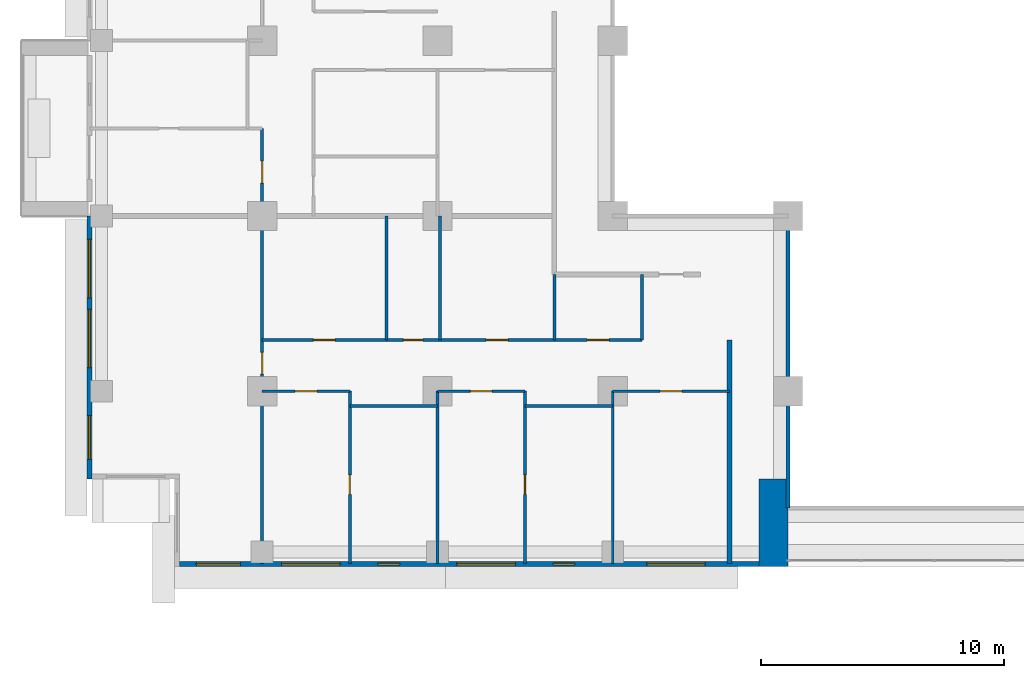
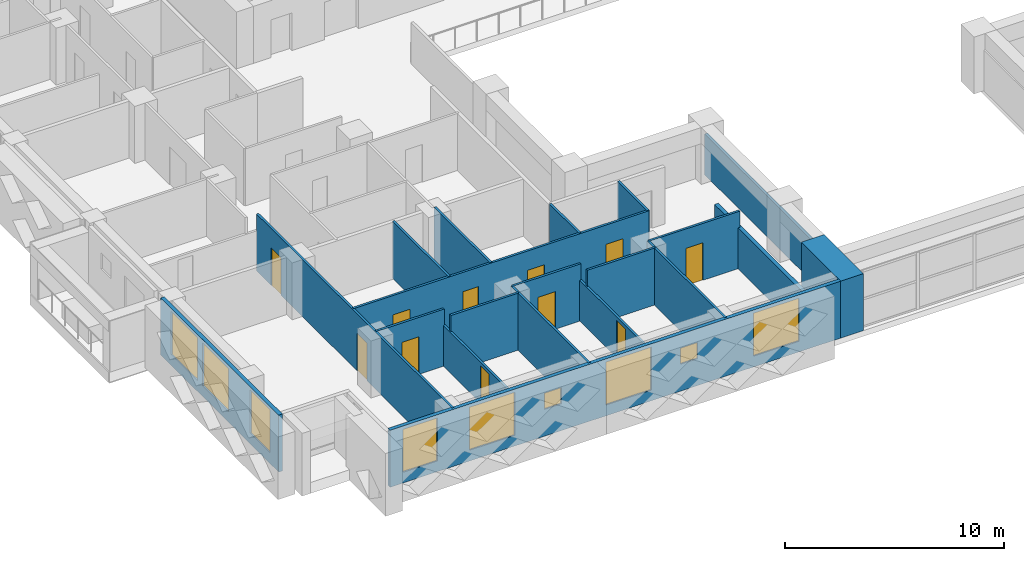
# One storey, part 6 of 17: 20 walls, 11 doors, 9 windows, 20 openings.
"""IFC4 building model written with IfcOpenShell, lengths in metres."""

from ifc_helpers import new_model, si_unit, direction, frame, frame_2d, origin, place, context, subcontext, project, spatial, rectangle, extrude, material, layer, layer_set, type_object, element, fill, save


model = new_model("IFC4")

# Units and contexts
model_context = context("Model", 3, precision=1e-05, world=origin(), true_north=direction((0.0, 1.0)))
body_context = subcontext(model_context, "Body", "Model", "MODEL_VIEW")
ifc_project = project(units=[si_unit("LENGTHUNIT", "METRE"), si_unit("AREAUNIT", "SQUARE_METRE"), si_unit("VOLUMEUNIT", "CUBIC_METRE"), si_unit("PLANEANGLEUNIT", "RADIAN"), si_unit("MASSUNIT", "GRAM", prefix="KILO")], contexts=[model_context])

# Site, building, storey
site_placement = place(None, origin())
site = spatial("IfcSite", under=ifc_project, at=site_placement, CompositionType="ELEMENT")
building_placement = place(site_placement, origin())
building = spatial("IfcBuilding", under=site, at=building_placement, Name="Saffron Iwan Residences", CompositionType="ELEMENT")
storey_placement = place(building_placement, frame((0.0, 0.0, 100.5)))
storey = spatial("IfcBuildingStorey", under=building, at=storey_placement, Name="L26", CompositionType="ELEMENT", Elevation=100.5)

# Wall
ifc_material_1 = material(Name="Fire-rated glazing", Category="glass")
ifc_layer_1 = layer(ifc_material_1, 0.14990234375)
ifc_layer_set_1 = layer_set([ifc_layer_1], Name="Fire-rated glazing")
wall_type_1 = type_object("IfcWallType", Name="Atrium glazed screen 150", PredefinedType="SOLIDWALL", material=ifc_layer_set_1)
wall_1_placement = place(storey_placement, frame((43.199951171875, 36.0, 0.0), z_axis=(0.0, 0.0, 1.0), x_axis=(0.0, 1.0, 0.0)))
element("IfcWall", 1, at=wall_1_placement, inside=storey, type_object=wall_type_1, Name="W-L26-SCREEN-v43.2-36", PredefinedType="SOLIDWALL", context=body_context, shape_type="SweptSolid", body=[
    extrude(rectangle(XDim=12.0, YDim=0.14990234375, at=frame_2d((6.0, 0.0))), origin(), (0.0, 0.0, 1.0), 2.280029296875),
])

# Wall, openings, windows
ifc_material_2 = material(Name="Concrete C40/50", Category="concrete")
ifc_layer_2 = layer(ifc_material_2, 0.199951171875)
ifc_layer_set_2 = layer_set([ifc_layer_2], Name="Concrete C40/50")
wall_type_2 = type_object("IfcWallType", Name="EXTERNAL WALL 200", PredefinedType="SOLIDWALL", material=ifc_layer_set_2)
wall_2_placement = place(storey_placement, frame((14.5, 48.0, 0.0), z_axis=(0.0, 0.0, 1.0), x_axis=(0.0, -1.0, 0.0)))
wall_2 = element("IfcWall", 2, at=wall_2_placement, inside=storey, type_object=wall_type_2, Name="External wall L26 F8.4", PredefinedType="SOLIDWALL", context=body_context, shape_type="SweptSolid", body=[
    extrude(rectangle(XDim=10.800048828125, YDim=0.199951171875, at=frame_2d((5.39990234375, 0.0))), origin(), (0.0, 0.0, 1.0), 3.179931640625),
])
opening_1_placement = place(wall_2_placement, frame((0.966796875, 0.0, 0.60009765625)))
opening_1 = element("IfcOpeningElement", 3, at=opening_1_placement, cuts=wall_2, Name="Opening W1", PredefinedType="OPENING", context=body_context, shape_type="SweptSolid", body=[
    extrude(rectangle(XDim=2.39990234375, YDim=2.39990234375, at=frame_2d((1.199951171875, 1.199951171875))), frame((0.0, 0.10986328125, 0.0), z_axis=(0.0, -1.0, 0.0), x_axis=(1.0, 0.0, 0.0)), (0.0, 0.0, 1.0), 0.219970703125),
])
opening_2_placement = place(wall_2_placement, frame((3.833251953125, 0.0, 0.60009765625)))
opening_2 = element("IfcOpeningElement", 4, at=opening_2_placement, cuts=wall_2, Name="Opening W1", PredefinedType="OPENING", context=body_context, shape_type="SweptSolid", body=[
    extrude(rectangle(XDim=2.39990234375, YDim=2.39990234375, at=frame_2d((1.199951171875, 1.199951171875))), frame((0.0, 0.10986328125, 0.0), z_axis=(0.0, -1.0, 0.0), x_axis=(1.0, 0.0, 0.0)), (0.0, 0.0, 1.0), 0.219970703125),
])
opening_3_placement = place(wall_2_placement, frame((8.199951171875, 0.0, 0.60009765625)))
opening_3 = element("IfcOpeningElement", 5, at=opening_3_placement, cuts=wall_2, Name="Opening W8", PredefinedType="OPENING", context=body_context, shape_type="SweptSolid", body=[
    extrude(rectangle(XDim=1.800048828125, YDim=2.39990234375, at=frame_2d((0.89990234375, 1.199951171875))), frame((0.0, 0.10986328125, 0.0), z_axis=(0.0, -1.0, 0.0), x_axis=(1.0, 0.0, 0.0)), (0.0, 0.0, 1.0), 0.219970703125),
])
ifc_material_3 = material(Name="Clear glass, laminated double glazed", Category="glass")
window_type_1 = type_object("IfcWindowType", Name="WINDOW 1800 x 2400", PartitioningType="DOUBLE_PANEL_VERTICAL", PredefinedType="WINDOW", material=ifc_material_3)
window_1_placement = place(opening_3_placement, origin())
window_1 = element("IfcWindow", 6, at=window_1_placement, inside=storey, type_object=window_type_1, Name="Window L26 F8.2", OverallHeight=2.39990234375, OverallWidth=1.800048828125, PartitioningType="DOUBLE_PANEL_VERTICAL", PredefinedType="WINDOW", context=body_context, shape_type="SweptSolid", body=[
    extrude(rectangle(XDim=1.800048828125, YDim=2.39990234375, at=frame_2d((0.89990234375, 1.199951171875))), frame((0.0, 0.030029296875, 0.0), z_axis=(0.0, -1.0, 0.0), x_axis=(1.0, 0.0, 0.0)), (0.0, 0.0, 1.0), 0.06005859375),
])
fill(opening_3, window_1)
window_type_2 = type_object("IfcWindowType", Name="WINDOW 2400 x 2400", PartitioningType="DOUBLE_PANEL_VERTICAL", PredefinedType="WINDOW", material=ifc_material_3)
window_2_placement = place(opening_1_placement, origin())
window_2 = element("IfcWindow", 7, at=window_2_placement, inside=storey, type_object=window_type_2, Name="Window L26 F8.0", OverallHeight=2.39990234375, OverallWidth=2.39990234375, PartitioningType="DOUBLE_PANEL_VERTICAL", PredefinedType="WINDOW", context=body_context, shape_type="SweptSolid", body=[
    extrude(rectangle(XDim=2.39990234375, YDim=2.39990234375, at=frame_2d((1.199951171875, 1.199951171875))), frame((0.0, 0.030029296875, 0.0), z_axis=(0.0, -1.0, 0.0), x_axis=(1.0, 0.0, 0.0)), (0.0, 0.0, 1.0), 0.06005859375),
])
fill(opening_1, window_2)
window_3_placement = place(opening_2_placement, origin())
window_3 = element("IfcWindow", 8, at=window_3_placement, inside=storey, type_object=window_type_2, Name="Window L26 F8.1", OverallHeight=2.39990234375, OverallWidth=2.39990234375, PartitioningType="DOUBLE_PANEL_VERTICAL", PredefinedType="WINDOW", context=body_context, shape_type="SweptSolid", body=[
    extrude(rectangle(XDim=2.39990234375, YDim=2.39990234375, at=frame_2d((1.199951171875, 1.199951171875))), frame((0.0, 0.030029296875, 0.0), z_axis=(0.0, -1.0, 0.0), x_axis=(1.0, 0.0, 0.0)), (0.0, 0.0, 1.0), 0.06005859375),
])
fill(opening_2, window_3)

wall_3_placement = place(storey_placement, frame((18.199951171875, 33.699951171875, 0.0), z_axis=(0.0, 0.0, 1.0), x_axis=(1.0, 0.0, 0.0)))
wall_3 = element("IfcWall", 9, at=wall_3_placement, inside=storey, type_object=wall_type_2, Name="External wall L26 F11.0", PredefinedType="SOLIDWALL", context=body_context, shape_type="SweptSolid", body=[
    extrude(rectangle(XDim=23.800048828125, YDim=0.199951171875, at=frame_2d((11.89990234375, 0.0))), origin(), (0.0, 0.0, 1.0), 3.179931640625),
])
opening_4_placement = place(wall_3_placement, frame((0.699951171875, 0.0, 0.60009765625)))
opening_4 = element("IfcOpeningElement", 10, at=opening_4_placement, cuts=wall_3, Name="Opening W8", PredefinedType="OPENING", context=body_context, shape_type="SweptSolid", body=[
    extrude(rectangle(XDim=1.800048828125, YDim=2.39990234375, at=frame_2d((0.89990234375, 1.199951171875))), frame((0.0, 0.10986328125, 0.0), z_axis=(0.0, -1.0, 0.0), x_axis=(1.0, 0.0, 0.0)), (0.0, 0.0, 1.0), 0.219970703125),
])
opening_5_placement = place(wall_3_placement, frame((4.199951171875, 0.0, 0.60009765625)))
opening_5 = element("IfcOpeningElement", 11, at=opening_5_placement, cuts=wall_3, Name="Opening W1", PredefinedType="OPENING", context=body_context, shape_type="SweptSolid", body=[
    extrude(rectangle(XDim=2.39990234375, YDim=2.39990234375, at=frame_2d((1.199951171875, 1.199951171875))), frame((0.0, 0.10986328125, 0.0), z_axis=(0.0, -1.0, 0.0), x_axis=(1.0, 0.0, 0.0)), (0.0, 0.0, 1.0), 0.219970703125),
])
opening_6_placement = place(wall_3_placement, frame((8.14990234375, 0.0, 1.5)))
opening_6 = element("IfcOpeningElement", 12, at=opening_6_placement, cuts=wall_3, Name="Opening W6", PredefinedType="OPENING", context=body_context, shape_type="SweptSolid", body=[
    extrude(rectangle(XDim=0.89990234375, YDim=0.89990234375, at=frame_2d((0.449951171875, 0.449951171875))), frame((0.0, 0.10986328125, 0.0), z_axis=(0.0, -1.0, 0.0), x_axis=(1.0, 0.0, 0.0)), (0.0, 0.0, 1.0), 0.219970703125),
])
opening_7_placement = place(wall_3_placement, frame((11.39990234375, 0.0, 0.60009765625)))
opening_7 = element("IfcOpeningElement", 13, at=opening_7_placement, cuts=wall_3, Name="Opening W1", PredefinedType="OPENING", context=body_context, shape_type="SweptSolid", body=[
    extrude(rectangle(XDim=2.39990234375, YDim=2.39990234375, at=frame_2d((1.199951171875, 1.199951171875))), frame((0.0, 0.10986328125, 0.0), z_axis=(0.0, -1.0, 0.0), x_axis=(1.0, 0.0, 0.0)), (0.0, 0.0, 1.0), 0.219970703125),
])
opening_8_placement = place(wall_3_placement, frame((15.35009765625, 0.0, 1.5)))
opening_8 = element("IfcOpeningElement", 14, at=opening_8_placement, cuts=wall_3, Name="Opening W6", PredefinedType="OPENING", context=body_context, shape_type="SweptSolid", body=[
    extrude(rectangle(XDim=0.89990234375, YDim=0.89990234375, at=frame_2d((0.449951171875, 0.449951171875))), frame((0.0, 0.10986328125, 0.0), z_axis=(0.0, -1.0, 0.0), x_axis=(1.0, 0.0, 0.0)), (0.0, 0.0, 1.0), 0.219970703125),
])
opening_9_placement = place(wall_3_placement, frame((19.199951171875, 0.0, 0.60009765625)))
opening_9 = element("IfcOpeningElement", 15, at=opening_9_placement, cuts=wall_3, Name="Opening W1", PredefinedType="OPENING", context=body_context, shape_type="SweptSolid", body=[
    extrude(rectangle(XDim=2.39990234375, YDim=2.39990234375, at=frame_2d((1.199951171875, 1.199951171875))), frame((0.0, 0.10986328125, 0.0), z_axis=(0.0, -1.0, 0.0), x_axis=(1.0, 0.0, 0.0)), (0.0, 0.0, 1.0), 0.219970703125),
])
window_4_placement = place(opening_4_placement, origin())
window_4 = element("IfcWindow", 16, at=window_4_placement, inside=storey, type_object=window_type_1, Name="Window L26 F11.0", OverallHeight=2.39990234375, OverallWidth=1.800048828125, PartitioningType="DOUBLE_PANEL_VERTICAL", PredefinedType="WINDOW", context=body_context, shape_type="SweptSolid", body=[
    extrude(rectangle(XDim=1.800048828125, YDim=2.39990234375, at=frame_2d((0.89990234375, 1.199951171875))), frame((0.0, 0.030029296875, 0.0), z_axis=(0.0, -1.0, 0.0), x_axis=(1.0, 0.0, 0.0)), (0.0, 0.0, 1.0), 0.06005859375),
])
fill(opening_4, window_4)
window_5_placement = place(opening_5_placement, origin())
window_5 = element("IfcWindow", 17, at=window_5_placement, inside=storey, type_object=window_type_2, Name="Window L26 F11.1", OverallHeight=2.39990234375, OverallWidth=2.39990234375, PartitioningType="DOUBLE_PANEL_VERTICAL", PredefinedType="WINDOW", context=body_context, shape_type="SweptSolid", body=[
    extrude(rectangle(XDim=2.39990234375, YDim=2.39990234375, at=frame_2d((1.199951171875, 1.199951171875))), frame((0.0, 0.030029296875, 0.0), z_axis=(0.0, -1.0, 0.0), x_axis=(1.0, 0.0, 0.0)), (0.0, 0.0, 1.0), 0.06005859375),
])
fill(opening_5, window_5)
window_6_placement = place(opening_7_placement, origin())
window_6 = element("IfcWindow", 18, at=window_6_placement, inside=storey, type_object=window_type_2, Name="Window L26 F11.3", OverallHeight=2.39990234375, OverallWidth=2.39990234375, PartitioningType="DOUBLE_PANEL_VERTICAL", PredefinedType="WINDOW", context=body_context, shape_type="SweptSolid", body=[
    extrude(rectangle(XDim=2.39990234375, YDim=2.39990234375, at=frame_2d((1.199951171875, 1.199951171875))), frame((0.0, 0.030029296875, 0.0), z_axis=(0.0, -1.0, 0.0), x_axis=(1.0, 0.0, 0.0)), (0.0, 0.0, 1.0), 0.06005859375),
])
fill(opening_7, window_6)
window_7_placement = place(opening_9_placement, origin())
window_7 = element("IfcWindow", 19, at=window_7_placement, inside=storey, type_object=window_type_2, Name="Window L26 F11.5", OverallHeight=2.39990234375, OverallWidth=2.39990234375, PartitioningType="DOUBLE_PANEL_VERTICAL", PredefinedType="WINDOW", context=body_context, shape_type="SweptSolid", body=[
    extrude(rectangle(XDim=2.39990234375, YDim=2.39990234375, at=frame_2d((1.199951171875, 1.199951171875))), frame((0.0, 0.030029296875, 0.0), z_axis=(0.0, -1.0, 0.0), x_axis=(1.0, 0.0, 0.0)), (0.0, 0.0, 1.0), 0.06005859375),
])
fill(opening_9, window_7)
window_type_3 = type_object("IfcWindowType", Name="WINDOW 900 x 900 BATH", PartitioningType="SINGLE_PANEL", PredefinedType="WINDOW", material=ifc_material_3)
window_8_placement = place(opening_6_placement, origin())
window_8 = element("IfcWindow", 20, at=window_8_placement, inside=storey, type_object=window_type_3, Name="Window L26 F11.2", OverallHeight=0.89990234375, OverallWidth=0.89990234375, PartitioningType="SINGLE_PANEL", PredefinedType="WINDOW", context=body_context, shape_type="SweptSolid", body=[
    extrude(rectangle(XDim=0.89990234375, YDim=0.89990234375, at=frame_2d((0.449951171875, 0.449951171875))), frame((0.0, 0.030029296875, 0.0), z_axis=(0.0, -1.0, 0.0), x_axis=(1.0, 0.0, 0.0)), (0.0, 0.0, 1.0), 0.06005859375),
])
fill(opening_6, window_8)
window_9_placement = place(opening_8_placement, origin())
window_9 = element("IfcWindow", 21, at=window_9_placement, inside=storey, type_object=window_type_3, Name="Window L26 F11.4", OverallHeight=0.89990234375, OverallWidth=0.89990234375, PartitioningType="SINGLE_PANEL", PredefinedType="WINDOW", context=body_context, shape_type="SweptSolid", body=[
    extrude(rectangle(XDim=0.89990234375, YDim=0.89990234375, at=frame_2d((0.449951171875, 0.449951171875))), frame((0.0, 0.030029296875, 0.0), z_axis=(0.0, -1.0, 0.0), x_axis=(1.0, 0.0, 0.0)), (0.0, 0.0, 1.0), 0.06005859375),
])
fill(opening_8, window_9)

# Walls
ifc_material_4 = material(Name="Gypsum board partition")
ifc_layer_3 = layer(ifc_material_4, 0.1201171875)
ifc_layer_set_3 = layer_set([ifc_layer_3], Name="Gypsum board partition")
wall_type_3 = type_object("IfcWallType", Name="Flat partition 120", PredefinedType="PARTITIONING", material=ifc_layer_set_3)
for number, where, z_axis, x_axis, name in (
    (22, (25.199951171875, 40.199951171875, 0.0), (0.0, 0.0, 1.0), (1.0, 0.0, 0.0), "W-L26-PART-h40.2-25.2"),
    (23, (32.39990234375, 40.199951171875, 0.0), (0.0, 0.0, 1.0), (1.0, 0.0, 0.0), "W-L26-PART-h40.2-32.4"),
):
    element("IfcWall", number, at=place(storey_placement, frame(where, z_axis=z_axis, x_axis=x_axis)), inside=storey, type_object=wall_type_3, Name=name, PredefinedType="PARTITIONING", context=body_context, shape_type="SweptSolid", body=[
        extrude(rectangle(XDim=3.60009765625, YDim=0.1201171875, at=frame_2d((1.800048828125, 0.0))), origin(), (0.0, 0.0, 1.0), 3.179931640625),
    ])

# Wall, opening, door
wall_4_placement = place(storey_placement, frame((21.60009765625, 40.800048828125, 0.0), z_axis=(0.0, 0.0, 1.0), x_axis=(1.0, 0.0, 0.0)))
wall_4 = element("IfcWall", 24, at=wall_4_placement, inside=storey, type_object=wall_type_3, Name="W-L26-PART-h40.8-21.6", PredefinedType="PARTITIONING", context=body_context, shape_type="SweptSolid", body=[
    extrude(rectangle(XDim=3.599853515625, YDim=0.1201171875, at=frame_2d((1.7998046875, 0.0))), origin(), (0.0, 0.0, 1.0), 3.179931640625),
])
opening_10_placement = place(wall_4_placement, frame((1.35009765625, 0.0, 0.0)))
opening_10 = element("IfcOpeningElement", 25, at=opening_10_placement, cuts=wall_4, Name="Opening FD2", PredefinedType="OPENING", context=body_context, shape_type="SweptSolid", body=[
    extrude(rectangle(XDim=0.89990234375, YDim=2.10009765625, at=frame_2d((0.449951171875, 1.050048828125))), frame((0.0, 0.070068359375, 0.0), z_axis=(0.0, -1.0, 0.0), x_axis=(1.0, 0.0, 0.0)), (0.0, 0.0, 1.0), 0.14013671875),
])
ifc_material_5 = material(Name="Timber door", Category="wood")
door_type_1 = type_object("IfcDoorType", Name="Flat door 900", OperationType="NOTDEFINED", PredefinedType="DOOR", material=ifc_material_5)
door_1_placement = place(opening_10_placement, origin())
door_1 = element("IfcDoor", 26, at=door_1_placement, inside=storey, type_object=door_type_1, Name="Door L26-003", OperationType="SINGLE_SWING_LEFT", OverallHeight=2.10009765625, OverallWidth=0.89990234375, PredefinedType="DOOR", context=body_context, shape_type="SweptSolid", body=[
    extrude(rectangle(XDim=0.89990234375, YDim=2.10009765625, at=frame_2d((0.449951171875, 1.050048828125))), frame((0.0, 0.02490234375, 0.0), z_axis=(0.0, -1.0, 0.0), x_axis=(1.0, 0.0, 0.0)), (0.0, 0.0, 1.0), 0.050048828125),
])
fill(opening_10, door_1)

wall_5_placement = place(storey_placement, frame((28.800048828125, 40.800048828125, 0.0), z_axis=(0.0, 0.0, 1.0), x_axis=(1.0, 0.0, 0.0)))
wall_5 = element("IfcWall", 27, at=wall_5_placement, inside=storey, type_object=wall_type_3, Name="W-L26-PART-h40.8-28.8", PredefinedType="PARTITIONING", context=body_context, shape_type="SweptSolid", body=[
    extrude(rectangle(XDim=3.599853515625, YDim=0.1201171875, at=frame_2d((1.7998046875, 0.0))), origin(), (0.0, 0.0, 1.0), 3.179931640625),
])
opening_11_placement = place(wall_5_placement, frame((1.35009765625, 0.0, 0.0)))
opening_11 = element("IfcOpeningElement", 28, at=opening_11_placement, cuts=wall_5, Name="Opening FD2", PredefinedType="OPENING", context=body_context, shape_type="SweptSolid", body=[
    extrude(rectangle(XDim=0.89990234375, YDim=2.10009765625, at=frame_2d((0.449951171875, 1.050048828125))), frame((0.0, 0.070068359375, 0.0), z_axis=(0.0, -1.0, 0.0), x_axis=(1.0, 0.0, 0.0)), (0.0, 0.0, 1.0), 0.14013671875),
])
door_2_placement = place(opening_11_placement, origin())
door_2 = element("IfcDoor", 29, at=door_2_placement, inside=storey, type_object=door_type_1, Name="Door L26-005", OperationType="SINGLE_SWING_RIGHT", OverallHeight=2.10009765625, OverallWidth=0.89990234375, PredefinedType="DOOR", context=body_context, shape_type="SweptSolid", body=[
    extrude(rectangle(XDim=0.89990234375, YDim=2.10009765625, at=frame_2d((0.449951171875, 1.050048828125))), frame((0.0, 0.02490234375, 0.0), z_axis=(0.0, -1.0, 0.0), x_axis=(1.0, 0.0, 0.0)), (0.0, 0.0, 1.0), 0.050048828125),
])
fill(opening_11, door_2)

wall_6_placement = place(storey_placement, frame((36.0, 40.800048828125, 0.0), z_axis=(0.0, 0.0, 1.0), x_axis=(1.0, 0.0, 0.0)))
wall_6 = element("IfcWall", 30, at=wall_6_placement, inside=storey, type_object=wall_type_3, Name="W-L26-PART-h40.8-36", PredefinedType="PARTITIONING", context=body_context, shape_type="SweptSolid", body=[
    extrude(rectangle(XDim=4.800048828125, YDim=0.1201171875, at=frame_2d((2.39990234375, 0.0))), origin(), (0.0, 0.0, 1.0), 3.179931640625),
])
opening_12_placement = place(wall_6_placement, frame((1.949951171875, 0.0, 0.0)))
opening_12 = element("IfcOpeningElement", 31, at=opening_12_placement, cuts=wall_6, Name="Opening FD2", PredefinedType="OPENING", context=body_context, shape_type="SweptSolid", body=[
    extrude(rectangle(XDim=0.89990234375, YDim=2.10009765625, at=frame_2d((0.449951171875, 1.050048828125))), frame((0.0, 0.070068359375, 0.0), z_axis=(0.0, -1.0, 0.0), x_axis=(1.0, 0.0, 0.0)), (0.0, 0.0, 1.0), 0.14013671875),
])
door_3_placement = place(opening_12_placement, origin())
door_3 = element("IfcDoor", 32, at=door_3_placement, inside=storey, type_object=door_type_1, Name="Door L26-007", OperationType="SINGLE_SWING_LEFT", OverallHeight=2.10009765625, OverallWidth=0.89990234375, PredefinedType="DOOR", context=body_context, shape_type="SweptSolid", body=[
    extrude(rectangle(XDim=0.89990234375, YDim=2.10009765625, at=frame_2d((0.449951171875, 1.050048828125))), frame((0.0, 0.02490234375, 0.0), z_axis=(0.0, -1.0, 0.0), x_axis=(1.0, 0.0, 0.0)), (0.0, 0.0, 1.0), 0.050048828125),
])
fill(opening_12, door_3)

# Wall, openings, doors
wall_7_placement = place(storey_placement, frame((21.60009765625, 42.89990234375, 0.0), z_axis=(0.0, 0.0, 1.0), x_axis=(1.0, 0.0, 0.0)))
wall_7 = element("IfcWall", 33, at=wall_7_placement, inside=storey, type_object=wall_type_3, Name="W-L26-PART-h42.9-21.6", PredefinedType="PARTITIONING", context=body_context, shape_type="SweptSolid", body=[
    extrude(rectangle(XDim=15.599853515625, YDim=0.1201171875, at=frame_2d((7.7998046875, 0.0))), origin(), (0.0, 0.0, 1.0), 3.179931640625),
])
opening_13_placement = place(wall_7_placement, frame((2.10009765625, 0.0, 0.0)))
opening_13 = element("IfcOpeningElement", 34, at=opening_13_placement, cuts=wall_7, Name="Opening FD2", PredefinedType="OPENING", context=body_context, shape_type="SweptSolid", body=[
    extrude(rectangle(XDim=0.89990234375, YDim=2.10009765625, at=frame_2d((0.449951171875, 1.050048828125))), frame((0.0, 0.070068359375, 0.0), z_axis=(0.0, -1.0, 0.0), x_axis=(1.0, 0.0, 0.0)), (0.0, 0.0, 1.0), 0.14013671875),
])
opening_14_placement = place(wall_7_placement, frame((5.800048828125, 0.0, 0.0)))
opening_14 = element("IfcOpeningElement", 35, at=opening_14_placement, cuts=wall_7, Name="Opening FD3", PredefinedType="OPENING", context=body_context, shape_type="SweptSolid", body=[
    extrude(rectangle(XDim=0.800048828125, YDim=2.10009765625, at=frame_2d((0.39990234375, 1.050048828125))), frame((0.0, 0.070068359375, 0.0), z_axis=(0.0, -1.0, 0.0), x_axis=(1.0, 0.0, 0.0)), (0.0, 0.0, 1.0), 0.14013671875),
])
opening_15_placement = place(wall_7_placement, frame((9.199951171875, 0.0, 0.0)))
opening_15 = element("IfcOpeningElement", 36, at=opening_15_placement, cuts=wall_7, Name="Opening FD2", PredefinedType="OPENING", context=body_context, shape_type="SweptSolid", body=[
    extrude(rectangle(XDim=0.89990234375, YDim=2.10009765625, at=frame_2d((0.449951171875, 1.050048828125))), frame((0.0, 0.070068359375, 0.0), z_axis=(0.0, -1.0, 0.0), x_axis=(1.0, 0.0, 0.0)), (0.0, 0.0, 1.0), 0.14013671875),
])
opening_16_placement = place(wall_7_placement, frame((13.35009765625, 0.0, 0.0)))
opening_16 = element("IfcOpeningElement", 37, at=opening_16_placement, cuts=wall_7, Name="Opening FD2", PredefinedType="OPENING", context=body_context, shape_type="SweptSolid", body=[
    extrude(rectangle(XDim=0.89990234375, YDim=2.10009765625, at=frame_2d((0.449951171875, 1.050048828125))), frame((0.0, 0.070068359375, 0.0), z_axis=(0.0, -1.0, 0.0), x_axis=(1.0, 0.0, 0.0)), (0.0, 0.0, 1.0), 0.14013671875),
])
door_type_2 = type_object("IfcDoorType", Name="Bathroom door 800", OperationType="NOTDEFINED", PredefinedType="DOOR", material=ifc_material_5)
door_4_placement = place(opening_14_placement, origin())
door_4 = element("IfcDoor", 38, at=door_4_placement, inside=storey, type_object=door_type_2, Name="Door L26-009", OperationType="SINGLE_SWING_LEFT", OverallHeight=2.10009765625, OverallWidth=0.800048828125, PredefinedType="DOOR", context=body_context, shape_type="SweptSolid", body=[
    extrude(rectangle(XDim=0.800048828125, YDim=2.10009765625, at=frame_2d((0.39990234375, 1.050048828125))), frame((0.0, 0.02490234375, 0.0), z_axis=(0.0, -1.0, 0.0), x_axis=(1.0, 0.0, 0.0)), (0.0, 0.0, 1.0), 0.050048828125),
])
fill(opening_14, door_4)
door_5_placement = place(opening_13_placement, origin())
door_5 = element("IfcDoor", 39, at=door_5_placement, inside=storey, type_object=door_type_1, Name="Door L26-008", OperationType="SINGLE_SWING_RIGHT", OverallHeight=2.10009765625, OverallWidth=0.89990234375, PredefinedType="DOOR", context=body_context, shape_type="SweptSolid", body=[
    extrude(rectangle(XDim=0.89990234375, YDim=2.10009765625, at=frame_2d((0.449951171875, 1.050048828125))), frame((0.0, 0.02490234375, 0.0), z_axis=(0.0, -1.0, 0.0), x_axis=(1.0, 0.0, 0.0)), (0.0, 0.0, 1.0), 0.050048828125),
])
fill(opening_13, door_5)
door_6_placement = place(opening_15_placement, origin())
door_6 = element("IfcDoor", 40, at=door_6_placement, inside=storey, type_object=door_type_1, Name="Door L26-010", OperationType="SINGLE_SWING_LEFT", OverallHeight=2.10009765625, OverallWidth=0.89990234375, PredefinedType="DOOR", context=body_context, shape_type="SweptSolid", body=[
    extrude(rectangle(XDim=0.89990234375, YDim=2.10009765625, at=frame_2d((0.449951171875, 1.050048828125))), frame((0.0, 0.02490234375, 0.0), z_axis=(0.0, -1.0, 0.0), x_axis=(1.0, 0.0, 0.0)), (0.0, 0.0, 1.0), 0.050048828125),
])
fill(opening_15, door_6)
door_7_placement = place(opening_16_placement, origin())
door_7 = element("IfcDoor", 41, at=door_7_placement, inside=storey, type_object=door_type_1, Name="Door L26-011", OperationType="SINGLE_SWING_RIGHT", OverallHeight=2.10009765625, OverallWidth=0.89990234375, PredefinedType="DOOR", context=body_context, shape_type="SweptSolid", body=[
    extrude(rectangle(XDim=0.89990234375, YDim=2.10009765625, at=frame_2d((0.449951171875, 1.050048828125))), frame((0.0, 0.02490234375, 0.0), z_axis=(0.0, -1.0, 0.0), x_axis=(1.0, 0.0, 0.0)), (0.0, 0.0, 1.0), 0.050048828125),
])
fill(opening_16, door_7)

wall_8_placement = place(storey_placement, frame((21.60009765625, 33.72509765625, 0.0), z_axis=(0.0, 0.0, 1.0), x_axis=(0.0, 1.0, 0.0)))
wall_8 = element("IfcWall", 42, at=wall_8_placement, inside=storey, type_object=wall_type_3, Name="W-L26-PART-v21.6-33.725", PredefinedType="PARTITIONING", context=body_context, shape_type="SweptSolid", body=[
    extrude(rectangle(XDim=17.875, YDim=0.1201171875, at=frame_2d((8.9375, 0.0))), origin(), (0.0, 0.0, 1.0), 3.179931640625),
])
opening_17_placement = place(wall_8_placement, frame((7.77490234375, 0.0, 0.0)))
opening_17 = element("IfcOpeningElement", 43, at=opening_17_placement, cuts=wall_8, Name="Opening FD2", PredefinedType="OPENING", context=body_context, shape_type="SweptSolid", body=[
    extrude(rectangle(XDim=0.89990234375, YDim=2.10009765625, at=frame_2d((0.449951171875, 1.050048828125))), frame((0.0, 0.070068359375, 0.0), z_axis=(0.0, -1.0, 0.0), x_axis=(1.0, 0.0, 0.0)), (0.0, 0.0, 1.0), 0.14013671875),
])
opening_18_placement = place(wall_8_placement, frame((15.625, 0.0, 0.0)))
opening_18 = element("IfcOpeningElement", 44, at=opening_18_placement, cuts=wall_8, Name="Opening FD2", PredefinedType="OPENING", context=body_context, shape_type="SweptSolid", body=[
    extrude(rectangle(XDim=0.89990234375, YDim=2.10009765625, at=frame_2d((0.449951171875, 1.050048828125))), frame((0.0, 0.070068359375, 0.0), z_axis=(0.0, -1.0, 0.0), x_axis=(1.0, 0.0, 0.0)), (0.0, 0.0, 1.0), 0.14013671875),
])
door_8_placement = place(opening_17_placement, origin())
door_8 = element("IfcDoor", 45, at=door_8_placement, inside=storey, type_object=door_type_1, Name="Door L26-002", OperationType="SINGLE_SWING_LEFT", OverallHeight=2.10009765625, OverallWidth=0.89990234375, PredefinedType="DOOR", context=body_context, shape_type="SweptSolid", body=[
    extrude(rectangle(XDim=0.89990234375, YDim=2.10009765625, at=frame_2d((0.449951171875, 1.050048828125))), frame((0.0, 0.02490234375, 0.0), z_axis=(0.0, -1.0, 0.0), x_axis=(1.0, 0.0, 0.0)), (0.0, 0.0, 1.0), 0.050048828125),
])
fill(opening_17, door_8)
door_9_placement = place(opening_18_placement, origin())
door_9 = element("IfcDoor", 46, at=door_9_placement, inside=storey, type_object=door_type_1, Name="Door L26-013", OperationType="SINGLE_SWING_LEFT", OverallHeight=2.10009765625, OverallWidth=0.89990234375, PredefinedType="DOOR", context=body_context, shape_type="SweptSolid", body=[
    extrude(rectangle(XDim=0.89990234375, YDim=2.10009765625, at=frame_2d((0.449951171875, 1.050048828125))), frame((0.0, 0.02490234375, 0.0), z_axis=(0.0, -1.0, 0.0), x_axis=(1.0, 0.0, 0.0)), (0.0, 0.0, 1.0), 0.050048828125),
])
fill(opening_18, door_9)

# Wall, opening, door
wall_9_placement = place(storey_placement, frame((25.199951171875, 33.72509765625, 0.0), z_axis=(0.0, 0.0, 1.0), x_axis=(0.0, 1.0, 0.0)))
wall_9 = element("IfcWall", 47, at=wall_9_placement, inside=storey, type_object=wall_type_3, Name="W-L26-PART-v25.2-33.725", PredefinedType="PARTITIONING", context=body_context, shape_type="SweptSolid", body=[
    extrude(rectangle(XDim=7.074951171875, YDim=0.1201171875, at=frame_2d((3.53759765625, 0.0))), origin(), (0.0, 0.0, 1.0), 2.280029296875),
])
opening_19_placement = place(wall_9_placement, frame((2.83740234375, 0.0, 0.0)))
opening_19 = element("IfcOpeningElement", 48, at=opening_19_placement, cuts=wall_9, Name="Opening FD3", PredefinedType="OPENING", context=body_context, shape_type="SweptSolid", body=[
    extrude(rectangle(XDim=0.800048828125, YDim=2.10009765625, at=frame_2d((0.39990234375, 1.050048828125))), frame((0.0, 0.070068359375, 0.0), z_axis=(0.0, -1.0, 0.0), x_axis=(1.0, 0.0, 0.0)), (0.0, 0.0, 1.0), 0.14013671875),
])
door_10_placement = place(opening_19_placement, origin())
door_10 = element("IfcDoor", 49, at=door_10_placement, inside=storey, type_object=door_type_2, Name="Door L26-004", OperationType="SINGLE_SWING_LEFT", OverallHeight=2.10009765625, OverallWidth=0.800048828125, PredefinedType="DOOR", context=body_context, shape_type="SweptSolid", body=[
    extrude(rectangle(XDim=0.800048828125, YDim=2.10009765625, at=frame_2d((0.39990234375, 1.050048828125))), frame((0.0, 0.02490234375, 0.0), z_axis=(0.0, -1.0, 0.0), x_axis=(1.0, 0.0, 0.0)), (0.0, 0.0, 1.0), 0.050048828125),
])
fill(opening_19, door_10)

# Walls
wall_10_placement = place(storey_placement, frame((26.699951171875, 42.89990234375, 0.0), z_axis=(0.0, 0.0, 1.0), x_axis=(0.0, 1.0, 0.0)))
element("IfcWall", 50, at=wall_10_placement, inside=storey, type_object=wall_type_3, Name="W-L26-PART-v26.7-42.9", PredefinedType="PARTITIONING", context=body_context, shape_type="SweptSolid", body=[
    extrude(rectangle(XDim=5.10009765625, YDim=0.1201171875, at=frame_2d((2.550048828125, 0.0))), origin(), (0.0, 0.0, 1.0), 3.179931640625),
])
wall_11_placement = place(storey_placement, frame((28.800048828125, 33.72509765625, 0.0), z_axis=(0.0, 0.0, 1.0), x_axis=(0.0, 1.0, 0.0)))
element("IfcWall", 51, at=wall_11_placement, inside=storey, type_object=wall_type_3, Name="W-L26-PART-v28.8-33.725", PredefinedType="PARTITIONING", context=body_context, shape_type="SweptSolid", body=[
    extrude(rectangle(XDim=7.074951171875, YDim=0.1201171875, at=frame_2d((3.53759765625, 0.0))), origin(), (0.0, 0.0, 1.0), 3.179931640625),
])
wall_12_placement = place(storey_placement, frame((28.89990234375, 42.89990234375, 0.0), z_axis=(0.0, 0.0, 1.0), x_axis=(0.0, 1.0, 0.0)))
element("IfcWall", 52, at=wall_12_placement, inside=storey, type_object=wall_type_3, Name="W-L26-PART-v28.9-42.9", PredefinedType="PARTITIONING", context=body_context, shape_type="SweptSolid", body=[
    extrude(rectangle(XDim=5.10009765625, YDim=0.1201171875, at=frame_2d((2.550048828125, 0.0))), origin(), (0.0, 0.0, 1.0), 3.179931640625),
])

# Wall, opening, door
wall_13_placement = place(storey_placement, frame((32.39990234375, 33.72509765625, 0.0), z_axis=(0.0, 0.0, 1.0), x_axis=(0.0, 1.0, 0.0)))
wall_13 = element("IfcWall", 53, at=wall_13_placement, inside=storey, type_object=wall_type_3, Name="W-L26-PART-v32.4-33.725", PredefinedType="PARTITIONING", context=body_context, shape_type="SweptSolid", body=[
    extrude(rectangle(XDim=7.074951171875, YDim=0.1201171875, at=frame_2d((3.53759765625, 0.0))), origin(), (0.0, 0.0, 1.0), 2.280029296875),
])
opening_20_placement = place(wall_13_placement, frame((2.83740234375, 0.0, 0.0)))
opening_20 = element("IfcOpeningElement", 54, at=opening_20_placement, cuts=wall_13, Name="Opening FD3", PredefinedType="OPENING", context=body_context, shape_type="SweptSolid", body=[
    extrude(rectangle(XDim=0.800048828125, YDim=2.10009765625, at=frame_2d((0.39990234375, 1.050048828125))), frame((0.0, 0.070068359375, 0.0), z_axis=(0.0, -1.0, 0.0), x_axis=(1.0, 0.0, 0.0)), (0.0, 0.0, 1.0), 0.14013671875),
])
door_11_placement = place(opening_20_placement, origin())
door_11 = element("IfcDoor", 55, at=door_11_placement, inside=storey, type_object=door_type_2, Name="Door L26-006", OperationType="SINGLE_SWING_LEFT", OverallHeight=2.10009765625, OverallWidth=0.800048828125, PredefinedType="DOOR", context=body_context, shape_type="SweptSolid", body=[
    extrude(rectangle(XDim=0.800048828125, YDim=2.10009765625, at=frame_2d((0.39990234375, 1.050048828125))), frame((0.0, 0.02490234375, 0.0), z_axis=(0.0, -1.0, 0.0), x_axis=(1.0, 0.0, 0.0)), (0.0, 0.0, 1.0), 0.050048828125),
])
fill(opening_20, door_11)

# Walls
wall_14_placement = place(storey_placement, frame((33.60009765625, 42.89990234375, 0.0), z_axis=(0.0, 0.0, 1.0), x_axis=(0.0, 1.0, 0.0)))
element("IfcWall", 56, at=wall_14_placement, inside=storey, type_object=wall_type_3, Name="W-L26-PART-v33.6-42.9", PredefinedType="PARTITIONING", context=body_context, shape_type="SweptSolid", body=[
    extrude(rectangle(XDim=2.7001953125, YDim=0.1201171875, at=frame_2d((1.35009765625, 0.0))), origin(), (0.0, 0.0, 1.0), 3.179931640625),
])
wall_15_placement = place(storey_placement, frame((36.0, 33.72509765625, 0.0), z_axis=(0.0, 0.0, 1.0), x_axis=(0.0, 1.0, 0.0)))
element("IfcWall", 57, at=wall_15_placement, inside=storey, type_object=wall_type_3, Name="W-L26-PART-v36-33.725", PredefinedType="PARTITIONING", context=body_context, shape_type="SweptSolid", body=[
    extrude(rectangle(XDim=7.074951171875, YDim=0.1201171875, at=frame_2d((3.53759765625, 0.0))), origin(), (0.0, 0.0, 1.0), 3.179931640625),
])
wall_16_placement = place(storey_placement, frame((37.199951171875, 42.89990234375, 0.0), z_axis=(0.0, 0.0, 1.0), x_axis=(0.0, 1.0, 0.0)))
element("IfcWall", 58, at=wall_16_placement, inside=storey, type_object=wall_type_3, Name="W-L26-PART-v37.2-42.9", PredefinedType="PARTITIONING", context=body_context, shape_type="SweptSolid", body=[
    extrude(rectangle(XDim=2.7001953125, YDim=0.1201171875, at=frame_2d((1.35009765625, 0.0))), origin(), (0.0, 0.0, 1.0), 3.179931640625),
])
ifc_material_6 = material(Name="Fire-rated gypsum board wall")
ifc_layer_4 = layer(ifc_material_6, 0.199951171875)
ifc_layer_set_4 = layer_set([ifc_layer_4], Name="Fire-rated gypsum board wall")
wall_type_4 = type_object("IfcWallType", Name="Gallery wall 200", PredefinedType="SOLIDWALL", material=ifc_layer_set_4)
wall_17_placement = place(storey_placement, frame((40.800048828125, 33.72509765625, 0.0), z_axis=(0.0, 0.0, 1.0), x_axis=(0.0, 1.0, 0.0)))
element("IfcWall", 59, at=wall_17_placement, inside=storey, type_object=wall_type_4, Name="W-L26-CORR-v40.8-33.725", PredefinedType="SOLIDWALL", context=body_context, shape_type="SweptSolid", body=[
    extrude(rectangle(XDim=9.1748046875, YDim=0.199951171875, at=frame_2d((4.58740234375, 0.0))), origin(), (0.0, 0.0, 1.0), 2.280029296875),
])
ifc_material_7 = material(Name="Concrete C60/75", Category="concrete")
ifc_layer_5 = layer(ifc_material_7, 1.199951171875)
ifc_layer_set_5 = layer_set([ifc_layer_5], Name="Concrete C60/75")
wall_type_5 = type_object("IfcWallType", Name="WALL IWAN PIER 1200 C60/75 3180 HIGH", PredefinedType="SHEAR", material=ifc_layer_set_5)
wall_18_placement = place(storey_placement, frame((42.60009765625, 33.60009765625, 0.0), z_axis=(0.0, 0.0, 1.0), x_axis=(0.0, 1.0, 0.0)))
element("IfcWall", 60, at=wall_18_placement, inside=storey, type_object=wall_type_5, Name="IWAN PIER", PredefinedType="SHEAR", context=body_context, shape_type="SweptSolid", body=[
    extrude(rectangle(XDim=3.599853515625, YDim=1.199951171875, at=frame_2d((1.7998046875, 0.0))), origin(), (0.0, 0.0, 1.0), 3.179931640625),
])

save(model, "model.ifc")
